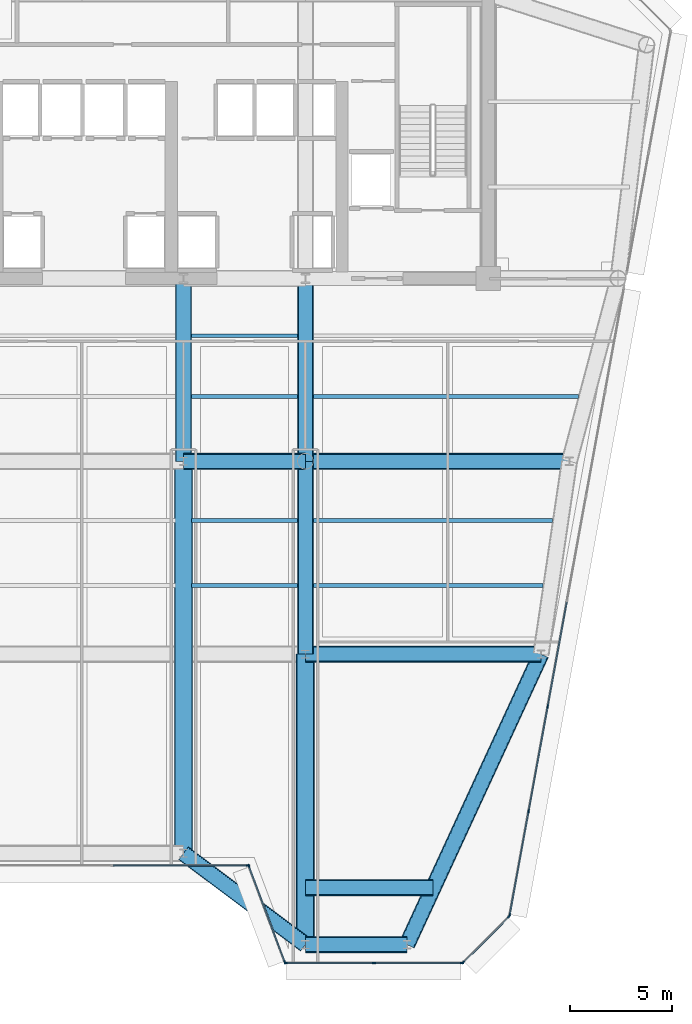
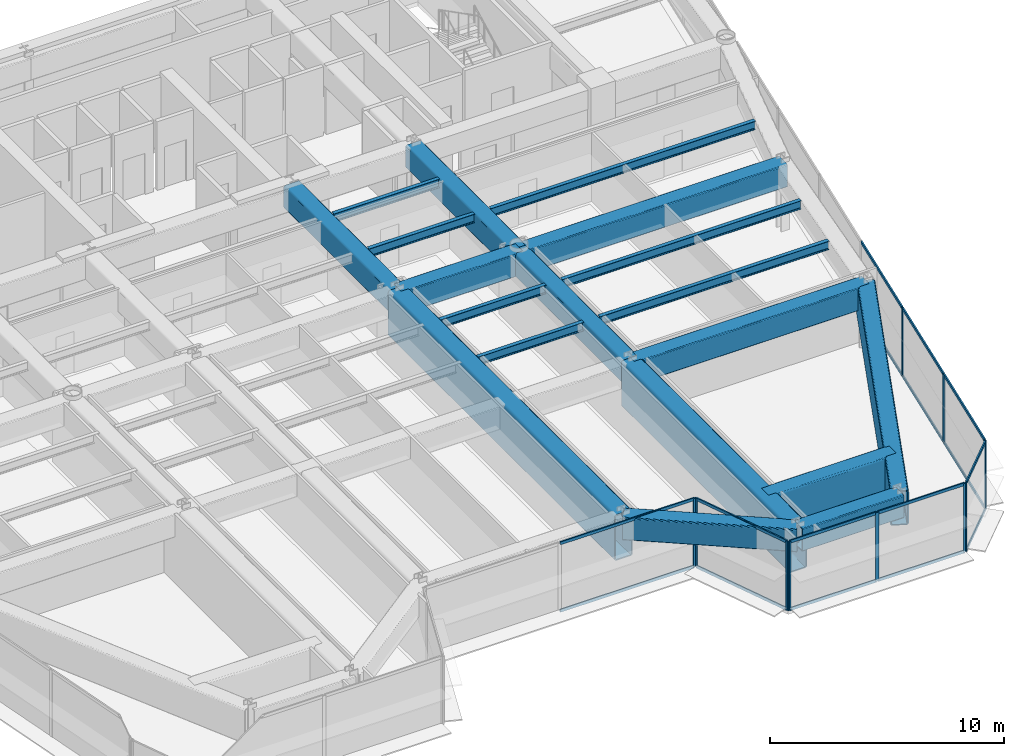
# One storey, part 5 of 17: 27 members, 19 beams, 5 elements without a shape of their own.
"""IFC4 building model written with IfcOpenShell, lengths in metres."""

from ifc_helpers import new_model, si_unit, direction, frame, origin, origin_2d, place, context, subcontext, project, spatial, rectangle, hollow_rectangle, i_section, extrude, source, transform, mapped, material, layer, layer_set, material_profile, profile_set, type_object, element, aggregate, save


model = new_model("IFC4")

# Units and contexts
model_context = context("Model", 3, precision=1e-05, world=origin(), true_north=direction((0.0, 1.0)))
body_context = subcontext(model_context, "Body", "Model", "MODEL_VIEW")
ifc_project = project(units=[si_unit("LENGTHUNIT", "METRE"), si_unit("AREAUNIT", "SQUARE_METRE"), si_unit("VOLUMEUNIT", "CUBIC_METRE"), si_unit("PLANEANGLEUNIT", "RADIAN"), si_unit("MASSUNIT", "GRAM", prefix="KILO")], contexts=[model_context])

# Site, building, storey
site_placement = place(None, origin())
site = spatial("IfcSite", under=ifc_project, at=site_placement, CompositionType="ELEMENT")
building_placement = place(site_placement, origin())
building = spatial("IfcBuilding", under=site, at=building_placement, Name="Vaeldorn Concourse Tower", CompositionType="ELEMENT")
storey_placement = place(building_placement, frame((0.0, 0.0, 176.60009765625)))
storey = spatial("IfcBuildingStorey", under=building, at=storey_placement, Name="L45", CompositionType="ELEMENT", Elevation=176.60009765625)

# Beams
ifc_material_1 = material(Name="Steel S460", Category="steel")
ifc_material_profile_1 = material_profile(ifc_material_1, hollow_rectangle(XDim=0.800048828125, YDim=1.199951171875, WallThickness=0.044921875, InnerFilletRadius=0.044921875, OuterFilletRadius=0.090087890625, at=origin_2d()), Name="RHS 1200x800x45")
ifc_profile_set_1 = profile_set([ifc_material_profile_1], Name="Steel S460")
beam_type_1 = type_object("IfcBeamType", Name="BM-TG-RHS1200", PredefinedType="BEAM", material=ifc_profile_set_1)
shared_shape_1 = source(origin(), body_context, "Body", "SweptSolid", [
    extrude(hollow_rectangle(XDim=0.800048828125, YDim=1.199951171875, WallThickness=0.044921875, InnerFilletRadius=0.044921875, OuterFilletRadius=0.090087890625, at=origin_2d()), origin(), (0.0, 0.0, 1.0), 6.0),
])
beam_1_placement = place(storey_placement, frame((39.0, 27.5, 2.97998046875), z_axis=(1.0, 0.0, 0.0), x_axis=(0.0, 1.0, 0.0)))
element("IfcBeam", 1, at=beam_1_placement, inside=storey, type_object=beam_type_1, Name="Beam BM-L45-C-TW3-C-TW4", PredefinedType="BEAM", context=body_context, shape_type="MappedRepresentation", body=[
    mapped(shared_shape_1, transform((0.0, 0.0, 0.0), scale=1.0)),
])
shared_shape_2 = source(origin(), body_context, "Body", "SweptSolid", [
    extrude(hollow_rectangle(XDim=0.800048828125, YDim=1.199951171875, WallThickness=0.044921875, InnerFilletRadius=0.044921875, OuterFilletRadius=0.090087890625, at=origin_2d()), origin(), (0.0, 0.0, 1.0), 9.0),
])
for number, where, z_axis, x_axis, name in (
    (2, (39.0, 27.5, 2.97998046875), (0.0, 1.0, 0.0), (-1.0, 0.0, 0.0), "Beam BM-L45-C-TW3-C-FC4"),
    (3, (45.0, 27.5, 2.97998046875), (0.0, 1.0, 0.0), (-1.0, 0.0, 0.0), "Beam BM-L45-C-TW4-C-FC5"),
):
    element("IfcBeam", number, at=place(storey_placement, frame(where, z_axis=z_axis, x_axis=x_axis)), inside=storey, type_object=beam_type_1, Name=name, PredefinedType="BEAM", context=body_context, shape_type="MappedRepresentation", body=[
        mapped(shared_shape_2, transform((0.0, 0.0, 0.0), scale=1.0)),
    ])
shared_shape_3 = source(origin(), body_context, "Body", "SweptSolid", [
    extrude(hollow_rectangle(XDim=0.800048828125, YDim=1.199951171875, WallThickness=0.044921875, InnerFilletRadius=0.044921875, OuterFilletRadius=0.090087890625, at=origin_2d()), origin(), (0.0, 0.0, 1.0), 13.0),
])
beam_2_placement = place(storey_placement, frame((45.0, 27.5, 2.97998046875), z_axis=(1.0, 0.0, 0.0), x_axis=(0.0, 1.0, 0.0)))
element("IfcBeam", 4, at=beam_2_placement, inside=storey, type_object=beam_type_1, Name="Beam BM-L45-C-TW4-C-FLE1", PredefinedType="BEAM", context=body_context, shape_type="MappedRepresentation", body=[
    mapped(shared_shape_3, transform((0.0, 0.0, 0.0), scale=1.0)),
])
shared_shape_4 = source(origin(), body_context, "Body", "SweptSolid", [
    extrude(hollow_rectangle(XDim=0.800048828125, YDim=1.199951171875, WallThickness=0.044921875, InnerFilletRadius=0.044921875, OuterFilletRadius=0.090087890625, at=origin_2d()), origin(), (0.0, 0.0, 1.0), 11.60009765625),
])
beam_3_placement = place(storey_placement, frame((45.0, 18.0, 2.97998046875), z_axis=(1.0, 0.0, 0.0), x_axis=(0.0, 1.0, 0.0)))
element("IfcBeam", 5, at=beam_3_placement, inside=storey, type_object=beam_type_1, Name="Beam BM-L45-C-TW6-C-FLE2", PredefinedType="BEAM", context=body_context, shape_type="MappedRepresentation", body=[
    mapped(shared_shape_4, transform((0.0, 0.0, 0.0), scale=1.0)),
])
shared_shape_5 = source(origin(), body_context, "Body", "SweptSolid", [
    extrude(hollow_rectangle(XDim=0.800048828125, YDim=1.199951171875, WallThickness=0.044921875, InnerFilletRadius=0.044921875, OuterFilletRadius=0.090087890625, at=origin_2d()), origin(), (0.0, 0.0, 1.0), 5.0),
])
beam_4_placement = place(storey_placement, frame((45.0, 3.699951171875, 2.97998046875), z_axis=(1.0, 0.0, 0.0), x_axis=(0.0, 1.0, 0.0)))
element("IfcBeam", 6, at=beam_4_placement, inside=storey, type_object=beam_type_1, Name="Beam BM-L45-C-SF5-C-SF6", PredefinedType="BEAM", context=body_context, shape_type="MappedRepresentation", body=[
    mapped(shared_shape_5, transform((0.0, 0.0, 0.0), scale=1.0)),
])
shared_shape_6 = source(origin(), body_context, "Body", "SweptSolid", [
    extrude(hollow_rectangle(XDim=0.800048828125, YDim=1.199951171875, WallThickness=0.044921875, InnerFilletRadius=0.044921875, OuterFilletRadius=0.090087890625, at=origin_2d()), origin(), (0.0, 0.0, 1.0), 7.5),
])
beam_5_placement = place(storey_placement, frame((39.0, 8.199951171875, 2.97998046875), z_axis=(0.8, -0.6, 0.0), x_axis=(0.6, 0.8, 0.0)))
element("IfcBeam", 7, at=beam_5_placement, inside=storey, type_object=beam_type_1, Name="Beam BM-L45-C-SF4-C-SF5", PredefinedType="BEAM", context=body_context, shape_type="MappedRepresentation", body=[
    mapped(shared_shape_6, transform((0.0, 0.0, 0.0), scale=1.0)),
])
shared_shape_7 = source(origin(), body_context, "Body", "SweptSolid", [
    extrude(hollow_rectangle(XDim=0.800048828125, YDim=1.199951171875, WallThickness=0.044921875, InnerFilletRadius=0.044921875, OuterFilletRadius=0.090087890625, at=origin_2d()), origin(), (0.0, 0.0, 1.0), 9.5),
])
beam_6_placement = place(storey_placement, frame((45.0, 18.0, 2.97998046875), z_axis=(0.0, 1.0, 0.0), x_axis=(-1.0, 0.0, 0.0)))
element("IfcBeam", 8, at=beam_6_placement, inside=storey, type_object=beam_type_1, Name="Beam BM-L45-C-TW6-C-TW4", PredefinedType="BEAM", context=body_context, shape_type="MappedRepresentation", body=[
    mapped(shared_shape_7, transform((0.0, 0.0, 0.0), scale=1.0)),
])
ifc_material_2 = material(Name="Steel S355", Category="steel")
ifc_material_profile_2 = material_profile(ifc_material_2, i_section(OverallWidth=0.18994140625, OverallDepth=0.449951171875, WebThickness=0.009521484375, FlangeThickness=0.0146484375, FilletRadius=0.02099609375, at=origin_2d()), Name="IPE 450")
ifc_profile_set_2 = profile_set([ifc_material_profile_2], Name="Steel S355")
beam_type_2 = type_object("IfcBeamType", Name="BM-JS-IPE450", PredefinedType="JOIST", material=ifc_profile_set_2)
shared_shape_8 = source(origin(), body_context, "Body", "SweptSolid", [
    extrude(i_section(OverallWidth=0.18994140625, OverallDepth=0.449951171875, WebThickness=0.009521484375, FlangeThickness=0.0146484375, FilletRadius=0.02099609375, at=origin_2d()), origin(), (0.0, 0.0, 1.0), 5.2001953125),
])
for number, where, z_axis, x_axis, name in (
    (9, (39.39990234375, 21.3798828125, 3.35498046875), (1.0, 0.0, 0.0), (0.0, 1.0, 0.0), "Beam JS-L45-E2-213"),
    (10, (39.39990234375, 24.580078125, 3.35498046875), (1.0, 0.0, 0.0), (0.0, 1.0, 0.0), "Beam JS-L45-E2-245"),
    (11, (39.39990234375, 30.679931640625, 3.35498046875), (1.0, 0.0, 0.0), (0.0, 1.0, 0.0), "Beam JS-L45-E2-306"),
    (12, (39.39990234375, 33.679931640625, 3.35498046875), (1.0, 0.0, 0.0), (0.0, 1.0, 0.0), "Beam JS-L45-E2-336"),
):
    element("IfcBeam", number, at=place(storey_placement, frame(where, z_axis=z_axis, x_axis=x_axis)), inside=storey, type_object=beam_type_2, Name=name, PredefinedType="JOIST", context=body_context, shape_type="MappedRepresentation", body=[
        mapped(shared_shape_8, transform((0.0, 0.0, 0.0), scale=1.0)),
    ])
ifc_material_profile_3 = material_profile(ifc_material_1, hollow_rectangle(XDim=0.89990234375, YDim=2.39990234375, WallThickness=0.06005859375, InnerFilletRadius=0.06005859375, OuterFilletRadius=0.1201171875, at=origin_2d()), Name="RHS 2400x900x60")
ifc_profile_set_3 = profile_set([ifc_material_profile_3], Name="Steel S460")
beam_type_3 = type_object("IfcBeamType", Name="BM-TG-BOX2400", PredefinedType="BEAM", material=ifc_profile_set_3)
shared_shape_9 = source(origin(), body_context, "Body", "SweptSolid", [
    extrude(hollow_rectangle(XDim=0.89990234375, YDim=2.39990234375, WallThickness=0.06005859375, InnerFilletRadius=0.06005859375, OuterFilletRadius=0.1201171875, at=origin_2d()), origin(), (0.0, 0.0, 1.0), 14.300048828125),
])
beam_7_placement = place(storey_placement, frame((45.0, 3.699951171875, 2.3798828125), z_axis=(0.0, 1.0, 0.0), x_axis=(-1.0, 0.0, 0.0)))
element("IfcBeam", 13, at=beam_7_placement, inside=storey, type_object=beam_type_3, Name="Beam BM-SETBACK-L45-C-SF5", PredefinedType="BEAM", context=body_context, shape_type="MappedRepresentation", body=[
    mapped(shared_shape_9, transform((0.0, 0.0, 0.0), scale=1.0)),
])
shared_shape_10 = source(origin(), body_context, "Body", "SweptSolid", [
    extrude(hollow_rectangle(XDim=0.89990234375, YDim=2.39990234375, WallThickness=0.06005859375, InnerFilletRadius=0.06005859375, OuterFilletRadius=0.1201171875, at=origin_2d()), origin(), (0.0, 0.0, 1.0), 19.300048828125),
])
beam_8_placement = place(storey_placement, frame((39.0, 8.199951171875, 2.3798828125), z_axis=(0.0, 1.0, 0.0), x_axis=(-1.0, 0.0, 0.0)))
element("IfcBeam", 14, at=beam_8_placement, inside=storey, type_object=beam_type_3, Name="Beam BM-SETBACK-L45-C-SF4", PredefinedType="BEAM", context=body_context, shape_type="MappedRepresentation", body=[
    mapped(shared_shape_10, transform((0.0, 0.0, 0.0), scale=1.0)),
])
ifc_material_profile_4 = material_profile(ifc_material_1, hollow_rectangle(XDim=0.800048828125, YDim=1.800048828125, WallThickness=0.050048828125, InnerFilletRadius=0.050048828125, OuterFilletRadius=0.10009765625, at=origin_2d()), Name="RHS 1800x800x50")
ifc_profile_set_4 = profile_set([ifc_material_profile_4], Name="Steel S460")
beam_type_4 = type_object("IfcBeamType", Name="BM-TG-BOX1800", PredefinedType="BEAM", material=ifc_profile_set_4)
shared_shape_11 = source(origin(), body_context, "Body", "SweptSolid", [
    extrude(hollow_rectangle(XDim=0.800048828125, YDim=1.800048828125, WallThickness=0.050048828125, InnerFilletRadius=0.050048828125, OuterFilletRadius=0.10009765625, at=origin_2d()), origin(), (0.0, 0.0, 1.0), 15.749755859375),
])
beam_9_placement = place(storey_placement, frame((50.0, 3.699951171875, 2.679931640625), z_axis=(0.419062109495, 0.907957569706, 0.0), x_axis=(-0.907957569706, 0.419062109495, 0.0)))
element("IfcBeam", 15, at=beam_9_placement, inside=storey, type_object=beam_type_4, Name="Beam BM-SETBACK-FL-L45-C-SF6", PredefinedType="BEAM", context=body_context, shape_type="MappedRepresentation", body=[
    mapped(shared_shape_11, transform((0.0, 0.0, 0.0), scale=1.0)),
])
shared_shape_12 = source(origin(), body_context, "Body", "SweptSolid", [
    extrude(hollow_rectangle(XDim=0.800048828125, YDim=1.800048828125, WallThickness=0.050048828125, InnerFilletRadius=0.050048828125, OuterFilletRadius=0.10009765625, at=origin_2d()), origin(), (0.0, 0.0, 1.0), 6.292236328125),
])
beam_10_placement = place(storey_placement, frame((51.292236328125, 6.5, 2.679931640625), z_axis=(-1.0, 0.0, 0.0), x_axis=(0.0, -1.0, 0.0)))
element("IfcBeam", 16, at=beam_10_placement, inside=storey, type_object=beam_type_4, Name="Beam BM-SETBACK-EW-L45-C-SF6", PredefinedType="BEAM", context=body_context, shape_type="MappedRepresentation", body=[
    mapped(shared_shape_12, transform((0.0, 0.0, 0.0), scale=1.0)),
])
shared_shape_13 = source(origin(), body_context, "Body", "SweptSolid", [
    extrude(i_section(OverallWidth=0.18994140625, OverallDepth=0.449951171875, WebThickness=0.009521484375, FlangeThickness=0.0146484375, FilletRadius=0.02099609375, at=origin_2d()), origin(), (0.0, 0.0, 1.0), 11.298095703125),
])
beam_11_placement = place(storey_placement, frame((45.39990234375, 21.3798828125, 3.35498046875), z_axis=(1.0, 0.0, 0.0), x_axis=(0.0, 1.0, 0.0)))
element("IfcBeam", 17, at=beam_11_placement, inside=storey, type_object=beam_type_2, Name="Beam JS-L45-E1-213", PredefinedType="JOIST", context=body_context, shape_type="MappedRepresentation", body=[
    mapped(shared_shape_13, transform((0.0, 0.0, 0.0), scale=1.0)),
])
shared_shape_14 = source(origin(), body_context, "Body", "SweptSolid", [
    extrude(i_section(OverallWidth=0.18994140625, OverallDepth=0.449951171875, WebThickness=0.009521484375, FlangeThickness=0.0146484375, FilletRadius=0.02099609375, at=origin_2d()), origin(), (0.0, 0.0, 1.0), 11.769775390625),
])
beam_12_placement = place(storey_placement, frame((45.39990234375, 24.580078125, 3.35498046875), z_axis=(1.0, 0.0, 0.0), x_axis=(0.0, 1.0, 0.0)))
element("IfcBeam", 18, at=beam_12_placement, inside=storey, type_object=beam_type_2, Name="Beam JS-L45-E1-245", PredefinedType="JOIST", context=body_context, shape_type="MappedRepresentation", body=[
    mapped(shared_shape_14, transform((0.0, 0.0, 0.0), scale=1.0)),
])
shared_shape_15 = source(origin(), body_context, "Body", "SweptSolid", [
    extrude(i_section(OverallWidth=0.18994140625, OverallDepth=0.449951171875, WebThickness=0.009521484375, FlangeThickness=0.0146484375, FilletRadius=0.02099609375, at=origin_2d()), origin(), (0.0, 0.0, 1.0), 13.048095703125),
])
beam_13_placement = place(storey_placement, frame((45.39990234375, 30.679931640625, 3.35498046875), z_axis=(1.0, 0.0, 0.0), x_axis=(0.0, 1.0, 0.0)))
element("IfcBeam", 19, at=beam_13_placement, inside=storey, type_object=beam_type_2, Name="Beam JS-L45-E1-306", PredefinedType="JOIST", context=body_context, shape_type="MappedRepresentation", body=[
    mapped(shared_shape_15, transform((0.0, 0.0, 0.0), scale=1.0)),
])

# Curtain wall, member
ifc_material_3 = material(Name="Anodised Bronze Aluminium", Category="aluminium")
ifc_layer = layer(ifc_material_3, 0.18994140625)
ifc_layer_set = layer_set([ifc_layer], Name="Anodised Bronze Aluminium")
curtain_wall_type = type_object("IfcCurtainWallType", Name="CW-SYS-03", PredefinedType="NOTDEFINED", material=ifc_layer_set)
curtain_wall_1_placement = place(storey_placement, origin())
curtain_wall_1 = element("IfcCurtainWall", 20, at=curtain_wall_1_placement, inside=storey, type_object=curtain_wall_type, Name="Unitised Curtain Wall CW-L45-E03-1", PredefinedType="NOTDEFINED")
ifc_material_profile_5 = material_profile(ifc_material_3, rectangle(XDim=0.06494140625, YDim=0.169921875, at=origin_2d()), Name="CWM 65x170")
ifc_profile_set_5 = profile_set([ifc_material_profile_5], Name="Anodised Bronze Aluminium")
member_type_1 = type_object("IfcMemberType", Name="CWM-BRONZE-170", PredefinedType="MULLION", material=ifc_profile_set_5)
shared_shape_16 = source(origin(), body_context, "Body", "SweptSolid", [
    extrude(rectangle(XDim=0.06494140625, YDim=0.169921875, at=origin_2d()), origin(), (0.0, 0.0, 1.0), 3.579833984375),
])
member_1_placement = place(storey_placement, frame((42.16748046875, 7.60009765625, 0.0), z_axis=(0.0, 0.0, 1.0), x_axis=(0.0, 1.0, 0.0)))
member_1 = element("IfcMember", 21, at=member_1_placement, type_object=member_type_1, Name="CW-03 mullion 3", PredefinedType="MULLION", context=body_context, shape_type="MappedRepresentation", body=[
    mapped(shared_shape_16, transform((0.0, 0.0, 0.0), scale=1.0)),
])

# Curtain wall, members
curtain_wall_2_placement = place(storey_placement, origin())
curtain_wall_2 = element("IfcCurtainWall", 22, at=curtain_wall_2_placement, inside=storey, type_object=curtain_wall_type, Name="Unitised Curtain Wall CW-L45-E04-1", PredefinedType="NOTDEFINED")
member_2_placement = place(storey_placement, frame((42.21142578125, 7.569580078125, 0.0), z_axis=(0.0, 0.0, 1.0), x_axis=(0.936329177566, 0.351123441595, 0.0)))
member_2 = element("IfcMember", 23, at=member_2_placement, type_object=member_type_1, Name="CW-03 mullion 1", PredefinedType="MULLION", context=body_context, shape_type="MappedRepresentation", body=[
    mapped(shared_shape_16, transform((0.0, 0.0, 0.0), scale=1.0)),
])
member_3_placement = place(storey_placement, frame((43.988525390625, 2.830322265625, 0.0), z_axis=(0.0, 0.0, 1.0), x_axis=(0.936329177566, 0.351123441595, 0.0)))
member_3 = element("IfcMember", 24, at=member_3_placement, type_object=member_type_1, Name="CW-03 mullion 2", PredefinedType="MULLION", context=body_context, shape_type="MappedRepresentation", body=[
    mapped(shared_shape_16, transform((0.0, 0.0, 0.0), scale=1.0)),
])

curtain_wall_3_placement = place(storey_placement, origin())
curtain_wall_3 = element("IfcCurtainWall", 25, at=curtain_wall_3_placement, inside=storey, type_object=curtain_wall_type, Name="Unitised Curtain Wall CW-L45-E05-1", PredefinedType="NOTDEFINED")
member_4_placement = place(storey_placement, frame((44.032470703125, 2.800048828125, 0.0), z_axis=(0.0, 0.0, 1.0), x_axis=(0.0, 1.0, 0.0)))
member_4 = element("IfcMember", 26, at=member_4_placement, type_object=member_type_1, Name="CW-03 mullion 1", PredefinedType="MULLION", context=body_context, shape_type="MappedRepresentation", body=[
    mapped(shared_shape_16, transform((0.0, 0.0, 0.0), scale=1.0)),
])
member_5_placement = place(storey_placement, frame((48.37353515625, 2.800048828125, 0.0), z_axis=(0.0, 0.0, 1.0), x_axis=(0.0, 1.0, 0.0)))
member_5 = element("IfcMember", 27, at=member_5_placement, type_object=member_type_1, Name="CW-03 mullion 2", PredefinedType="MULLION", context=body_context, shape_type="MappedRepresentation", body=[
    mapped(shared_shape_16, transform((0.0, 0.0, 0.0), scale=1.0)),
])
member_6_placement = place(storey_placement, frame((52.714599609375, 2.800048828125, 0.0), z_axis=(0.0, 0.0, 1.0), x_axis=(0.0, 1.0, 0.0)))
member_6 = element("IfcMember", 28, at=member_6_placement, type_object=member_type_1, Name="CW-03 mullion 3", PredefinedType="MULLION", context=body_context, shape_type="MappedRepresentation", body=[
    mapped(shared_shape_16, transform((0.0, 0.0, 0.0), scale=1.0)),
])

curtain_wall_4_placement = place(storey_placement, origin())
curtain_wall_4 = element("IfcCurtainWall", 29, at=curtain_wall_4_placement, inside=storey, type_object=curtain_wall_type, Name="Unitised Curtain Wall CW-L45-E06-1", PredefinedType="NOTDEFINED")
member_7_placement = place(storey_placement, frame((52.77001953125, 2.822998046875, 0.0), z_axis=(0.0, 0.0, 1.0), x_axis=(-0.707106781187, 0.707106781187, 0.0)))
member_7 = element("IfcMember", 30, at=member_7_placement, type_object=member_type_1, Name="CW-03 mullion 1", PredefinedType="MULLION", context=body_context, shape_type="MappedRepresentation", body=[
    mapped(shared_shape_16, transform((0.0, 0.0, 0.0), scale=1.0)),
])
member_8_placement = place(storey_placement, frame((55.02392578125, 5.076904296875, 0.0), z_axis=(0.0, 0.0, 1.0), x_axis=(-0.707106781187, 0.707106781187, 0.0)))
member_8 = element("IfcMember", 31, at=member_8_placement, type_object=member_type_1, Name="CW-03 mullion 2", PredefinedType="MULLION", context=body_context, shape_type="MappedRepresentation", body=[
    mapped(shared_shape_16, transform((0.0, 0.0, 0.0), scale=1.0)),
])

curtain_wall_5_placement = place(storey_placement, origin())
curtain_wall_5 = element("IfcCurtainWall", 32, at=curtain_wall_5_placement, inside=storey, type_object=curtain_wall_type, Name="Unitised Curtain Wall CW-L45-E07-1", PredefinedType="NOTDEFINED")
member_9_placement = place(storey_placement, frame((55.052734375, 5.132080078125, 0.0), z_axis=(0.0, 0.0, 1.0), x_axis=(-0.983767841325, 0.179445909331, 0.0)))
member_9 = element("IfcMember", 33, at=member_9_placement, type_object=member_type_1, Name="CW-03 mullion 1", PredefinedType="MULLION", context=body_context, shape_type="MappedRepresentation", body=[
    mapped(shared_shape_16, transform((0.0, 0.0, 0.0), scale=1.0)),
])
member_10_placement = place(storey_placement, frame((55.989013671875, 10.263916015625, 0.0), z_axis=(0.0, 0.0, 1.0), x_axis=(-0.983767841325, 0.179445909331, 0.0)))
member_10 = element("IfcMember", 34, at=member_10_placement, type_object=member_type_1, Name="CW-03 mullion 2", PredefinedType="MULLION", context=body_context, shape_type="MappedRepresentation", body=[
    mapped(shared_shape_16, transform((0.0, 0.0, 0.0), scale=1.0)),
])
member_11_placement = place(storey_placement, frame((56.930908203125, 15.427734375, 0.0), z_axis=(0.0, 0.0, 1.0), x_axis=(-0.983767841325, 0.179445909331, 0.0)))
member_11 = element("IfcMember", 35, at=member_11_placement, type_object=member_type_1, Name="CW-03 mullion 3", PredefinedType="MULLION", context=body_context, shape_type="MappedRepresentation", body=[
    mapped(shared_shape_16, transform((0.0, 0.0, 0.0), scale=1.0)),
])

# Member
ifc_material_profile_6 = material_profile(ifc_material_3, rectangle(XDim=0.06494140625, YDim=0.14990234375, at=origin_2d()), Name="CWT 65x150")
ifc_profile_set_6 = profile_set([ifc_material_profile_6], Name="Anodised Bronze Aluminium")
member_type_2 = type_object("IfcMemberType", Name="CWT-BRONZE-150", PredefinedType="USERDEFINED", material=ifc_profile_set_6)
shared_shape_17 = source(origin(), body_context, "Body", "SweptSolid", [
    extrude(rectangle(XDim=0.06494140625, YDim=0.14990234375, at=origin_2d()), origin(), (0.0, 0.0, 1.0), 4.996337890625),
])
member_12_placement = place(storey_placement, frame((42.222900390625, 7.5390625, 0.032470703125), z_axis=(0.351134151405, -0.936325161318, 0.0), x_axis=(0.936325161318, 0.351134151405, 0.0)))
member_12 = element("IfcMember", 36, at=member_12_placement, type_object=member_type_2, Name="CW-03 transom 1.1", ObjectType="TRANSOM", PredefinedType="USERDEFINED", context=body_context, shape_type="MappedRepresentation", body=[
    mapped(shared_shape_17, transform((0.0, 0.0, 0.0), scale=1.0)),
])

member_13_placement = place(storey_placement, frame((42.222900390625, 7.5390625, 3.54736328125), z_axis=(0.351134151405, -0.936325161318, 0.0), x_axis=(0.936325161318, 0.351134151405, 0.0)))
member_13 = element("IfcMember", 37, at=member_13_placement, type_object=member_type_2, Name="CW-03 transom 1.2", ObjectType="TRANSOM", PredefinedType="USERDEFINED", context=body_context, shape_type="MappedRepresentation", body=[
    mapped(shared_shape_17, transform((0.0, 0.0, 0.0), scale=1.0)),
])

aggregate(curtain_wall_2, [member_2, member_3, member_12, member_13])

shared_shape_18 = source(origin(), body_context, "Body", "SweptSolid", [
    extrude(rectangle(XDim=0.06494140625, YDim=0.14990234375, at=origin_2d()), origin(), (0.0, 0.0, 1.0), 6.6025390625),
])
member_14_placement = place(storey_placement, frame((35.532470703125, 7.60009765625, 0.032470703125), z_axis=(1.0, 0.0, 0.0), x_axis=(0.0, 1.0, 0.0)))
member_14 = element("IfcMember", 38, at=member_14_placement, type_object=member_type_2, Name="CW-03 transom 2.1", ObjectType="TRANSOM", PredefinedType="USERDEFINED", context=body_context, shape_type="MappedRepresentation", body=[
    mapped(shared_shape_18, transform((0.0, 0.0, 0.0), scale=1.0)),
])

member_15_placement = place(storey_placement, frame((35.532470703125, 7.60009765625, 3.54736328125), z_axis=(1.0, 0.0, 0.0), x_axis=(0.0, 1.0, 0.0)))
member_15 = element("IfcMember", 39, at=member_15_placement, type_object=member_type_2, Name="CW-03 transom 2.2", ObjectType="TRANSOM", PredefinedType="USERDEFINED", context=body_context, shape_type="MappedRepresentation", body=[
    mapped(shared_shape_18, transform((0.0, 0.0, 0.0), scale=1.0)),
])

aggregate(curtain_wall_1, [member_1, member_14, member_15])

shared_shape_19 = source(origin(), body_context, "Body", "SweptSolid", [
    extrude(rectangle(XDim=0.06494140625, YDim=0.14990234375, at=origin_2d()), origin(), (0.0, 0.0, 1.0), 3.12255859375),
])
member_16_placement = place(storey_placement, frame((52.79296875, 2.845947265625, 0.032470703125), z_axis=(0.707106781187, 0.707106781187, 0.0), x_axis=(-0.707106781187, 0.707106781187, 0.0)))
member_16 = element("IfcMember", 40, at=member_16_placement, type_object=member_type_2, Name="CW-03 transom 1.1", ObjectType="TRANSOM", PredefinedType="USERDEFINED", context=body_context, shape_type="MappedRepresentation", body=[
    mapped(shared_shape_19, transform((0.0, 0.0, 0.0), scale=1.0)),
])

member_17_placement = place(storey_placement, frame((52.79296875, 2.845947265625, 3.54736328125), z_axis=(0.707106781187, 0.707106781187, 0.0), x_axis=(-0.707106781187, 0.707106781187, 0.0)))
member_17 = element("IfcMember", 41, at=member_17_placement, type_object=member_type_2, Name="CW-03 transom 1.2", ObjectType="TRANSOM", PredefinedType="USERDEFINED", context=body_context, shape_type="MappedRepresentation", body=[
    mapped(shared_shape_19, transform((0.0, 0.0, 0.0), scale=1.0)),
])

aggregate(curtain_wall_4, [member_7, member_8, member_16, member_17])

shared_shape_20 = source(origin(), body_context, "Body", "SweptSolid", [
    extrude(rectangle(XDim=0.06494140625, YDim=0.14990234375, at=origin_2d()), origin(), (0.0, 0.0, 1.0), 4.276123046875),
])
member_18_placement = place(storey_placement, frame((44.06494140625, 2.800048828125, 0.032470703125), z_axis=(1.0, 0.0, 0.0), x_axis=(0.0, 1.0, 0.0)))
member_18 = element("IfcMember", 42, at=member_18_placement, type_object=member_type_2, Name="CW-03 transom 1.1", ObjectType="TRANSOM", PredefinedType="USERDEFINED", context=body_context, shape_type="MappedRepresentation", body=[
    mapped(shared_shape_20, transform((0.0, 0.0, 0.0), scale=1.0)),
])

member_19_placement = place(storey_placement, frame((44.06494140625, 2.800048828125, 3.54736328125), z_axis=(1.0, 0.0, 0.0), x_axis=(0.0, 1.0, 0.0)))
member_19 = element("IfcMember", 43, at=member_19_placement, type_object=member_type_2, Name="CW-03 transom 1.2", ObjectType="TRANSOM", PredefinedType="USERDEFINED", context=body_context, shape_type="MappedRepresentation", body=[
    mapped(shared_shape_20, transform((0.0, 0.0, 0.0), scale=1.0)),
])

shared_shape_21 = source(origin(), body_context, "Body", "SweptSolid", [
    extrude(rectangle(XDim=0.06494140625, YDim=0.14990234375, at=origin_2d()), origin(), (0.0, 0.0, 1.0), 4.27587890625),
])
member_20_placement = place(storey_placement, frame((48.406005859375, 2.800048828125, 0.032470703125), z_axis=(1.0, 0.0, 0.0), x_axis=(0.0, 1.0, 0.0)))
member_20 = element("IfcMember", 44, at=member_20_placement, type_object=member_type_2, Name="CW-03 transom 2.1", ObjectType="TRANSOM", PredefinedType="USERDEFINED", context=body_context, shape_type="MappedRepresentation", body=[
    mapped(shared_shape_21, transform((0.0, 0.0, 0.0), scale=1.0)),
])

member_21_placement = place(storey_placement, frame((48.406005859375, 2.800048828125, 3.54736328125), z_axis=(1.0, 0.0, 0.0), x_axis=(0.0, 1.0, 0.0)))
member_21 = element("IfcMember", 45, at=member_21_placement, type_object=member_type_2, Name="CW-03 transom 2.2", ObjectType="TRANSOM", PredefinedType="USERDEFINED", context=body_context, shape_type="MappedRepresentation", body=[
    mapped(shared_shape_21, transform((0.0, 0.0, 0.0), scale=1.0)),
])

aggregate(curtain_wall_3, [member_4, member_5, member_6, member_18, member_19, member_20, member_21])

shared_shape_22 = source(origin(), body_context, "Body", "SweptSolid", [
    extrude(rectangle(XDim=0.06494140625, YDim=0.14990234375, at=origin_2d()), origin(), (0.0, 0.0, 1.0), 5.151611328125),
])
member_22_placement = place(storey_placement, frame((55.05859375, 5.1640625, 0.032470703125), z_axis=(0.179473445995, 0.983762818053, 0.0), x_axis=(-0.983762818053, 0.179473445995, 0.0)))
member_22 = element("IfcMember", 46, at=member_22_placement, type_object=member_type_2, Name="CW-03 transom 1.1", ObjectType="TRANSOM", PredefinedType="USERDEFINED", context=body_context, shape_type="MappedRepresentation", body=[
    mapped(shared_shape_22, transform((0.0, 0.0, 0.0), scale=1.0)),
])

member_23_placement = place(storey_placement, frame((55.05859375, 5.1640625, 3.54736328125), z_axis=(0.179473445995, 0.983762818053, 0.0), x_axis=(-0.983762818053, 0.179473445995, 0.0)))
member_23 = element("IfcMember", 47, at=member_23_placement, type_object=member_type_2, Name="CW-03 transom 1.2", ObjectType="TRANSOM", PredefinedType="USERDEFINED", context=body_context, shape_type="MappedRepresentation", body=[
    mapped(shared_shape_22, transform((0.0, 0.0, 0.0), scale=1.0)),
])

shared_shape_23 = source(origin(), body_context, "Body", "SweptSolid", [
    extrude(rectangle(XDim=0.06494140625, YDim=0.14990234375, at=origin_2d()), origin(), (0.0, 0.0, 1.0), 5.18408203125),
])
member_24_placement = place(storey_placement, frame((55.994873046875, 10.2958984375, 0.032470703125), z_axis=(0.179432467646, 0.983770293084, 0.0), x_axis=(-0.983770293084, 0.179432467646, 0.0)))
member_24 = element("IfcMember", 48, at=member_24_placement, type_object=member_type_2, Name="CW-03 transom 2.1", ObjectType="TRANSOM", PredefinedType="USERDEFINED", context=body_context, shape_type="MappedRepresentation", body=[
    mapped(shared_shape_23, transform((0.0, 0.0, 0.0), scale=1.0)),
])

member_25_placement = place(storey_placement, frame((55.994873046875, 10.2958984375, 3.54736328125), z_axis=(0.179432467646, 0.983770293084, 0.0), x_axis=(-0.983770293084, 0.179432467646, 0.0)))
member_25 = element("IfcMember", 49, at=member_25_placement, type_object=member_type_2, Name="CW-03 transom 2.2", ObjectType="TRANSOM", PredefinedType="USERDEFINED", context=body_context, shape_type="MappedRepresentation", body=[
    mapped(shared_shape_23, transform((0.0, 0.0, 0.0), scale=1.0)),
])

shared_shape_24 = source(origin(), body_context, "Body", "SweptSolid", [
    extrude(rectangle(XDim=0.06494140625, YDim=0.14990234375, at=origin_2d()), origin(), (0.0, 0.0, 1.0), 5.184326171875),
])
member_26_placement = place(storey_placement, frame((56.936767578125, 15.459716796875, 0.032470703125), z_axis=(0.179424154775, 0.983771809254, 0.0), x_axis=(-0.983771809254, 0.179424154775, 0.0)))
member_26 = element("IfcMember", 50, at=member_26_placement, type_object=member_type_2, Name="CW-03 transom 3.1", ObjectType="TRANSOM", PredefinedType="USERDEFINED", context=body_context, shape_type="MappedRepresentation", body=[
    mapped(shared_shape_24, transform((0.0, 0.0, 0.0), scale=1.0)),
])

member_27_placement = place(storey_placement, frame((56.936767578125, 15.459716796875, 3.54736328125), z_axis=(0.179424154775, 0.983771809254, 0.0), x_axis=(-0.983771809254, 0.179424154775, 0.0)))
member_27 = element("IfcMember", 51, at=member_27_placement, type_object=member_type_2, Name="CW-03 transom 3.2", ObjectType="TRANSOM", PredefinedType="USERDEFINED", context=body_context, shape_type="MappedRepresentation", body=[
    mapped(shared_shape_24, transform((0.0, 0.0, 0.0), scale=1.0)),
])

aggregate(curtain_wall_5, [member_9, member_10, member_11, member_22, member_23, member_24, member_25, member_26, member_27])

save(model, "model.ifc")
